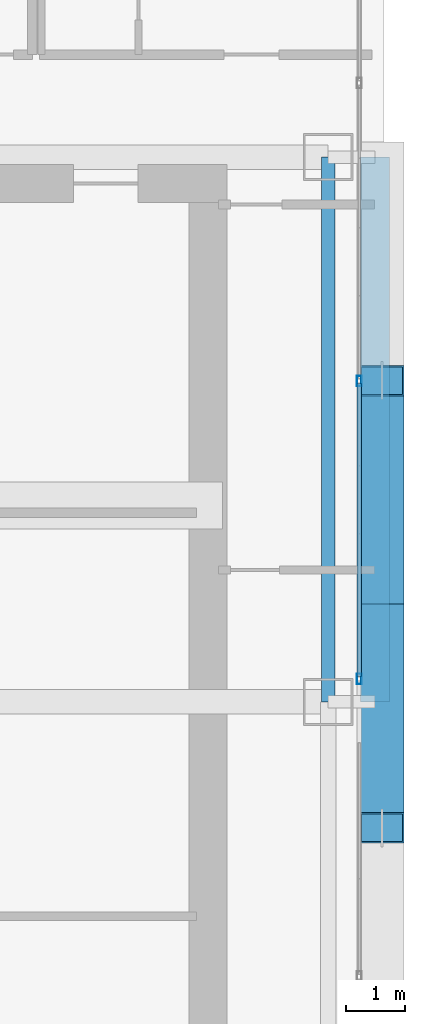
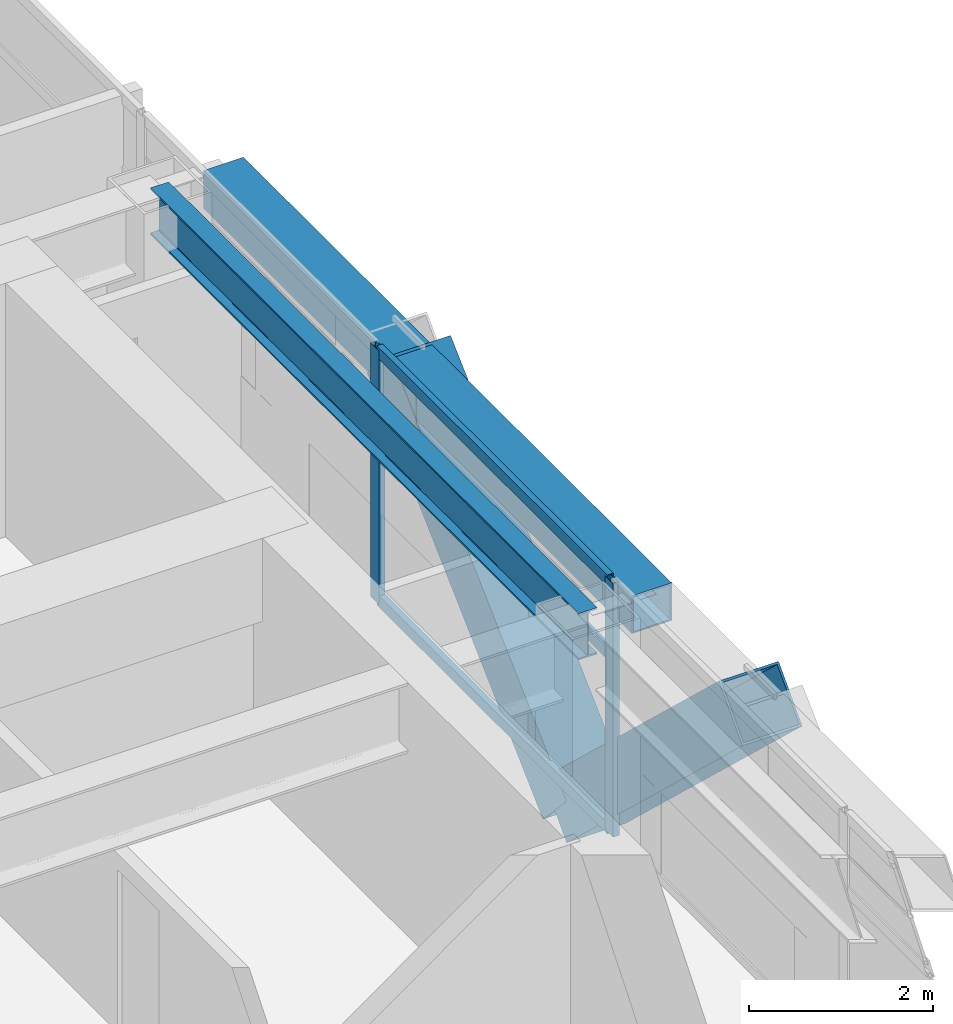
# One storey, part 18 of 39: 7 members, 2 beams, 1 element without a shape of its own.
"""IFC4 building model written with IfcOpenShell, lengths in metres."""

import ifcopenshell
import ifcopenshell.guid

model = None  # the IFC model being written
_history = None  # IfcOwnerHistory: only IFC2X3 demands one
_inside = {}  # id of a spatial element -> (the spatial element, [elements in it])
_under = {}  # id of a project, library or spatial element -> (it, [spatial elements below it])
_declared = {}  # id of a project -> (the project, [libraries it declares])
_typed = {}  # id of a type object -> (the type object, [elements of that type])
_made_of = {}  # id of a material, layer set ... -> (it, [elements and type objects made of it])


def new_model(schema):
    """Start an empty IFC model of exactly this schema.

    Asked for "IFC4X3", IfcOpenShell would pick the latest addendum, in which some entities
    have other attributes; the version numbers below select the first issue.
    IFC2X3 requires an IfcOwnerHistory on every rooted entity: one is made here for all.
    """
    global model, _history
    if schema == "IFC4X3":
        model = ifcopenshell.file(schema_version=(4, 3, 0, 0))
    else:
        model = ifcopenshell.file(schema=schema)
    _inside.clear()
    _under.clear()
    _declared.clear()
    _typed.clear()
    _made_of.clear()
    _history = None
    if model.schema == "IFC2X3":
        org = make("IfcOrganization", Name="unknown")
        user = make(
            "IfcPersonAndOrganization",
            ThePerson=make("IfcPerson", FamilyName="unknown"),
            TheOrganization=org,
        )
        app = make(
            "IfcApplication",
            ApplicationDeveloper=org,
            Version="unknown",
            ApplicationFullName="unknown",
            ApplicationIdentifier="unknown",
        )
        _history = make(
            "IfcOwnerHistory",
            OwningUser=user,
            OwningApplication=app,
            ChangeAction="ADDED",
            CreationDate=0,
        )
    return model


def make(cls, **values):
    """One entity of the class cls with the attributes given. An attribute that is None is left unset."""
    return model.create_entity(
        cls, **{name: value for name, value in values.items() if value is not None}
    )


def rooted(cls, **values):
    """An entity with a GlobalId (a new one), such as an element, a storey or a relation."""
    return make(cls, GlobalId=ifcopenshell.guid.new(), OwnerHistory=_history, **values)


def si_unit(unit_type, name, prefix=None):
    """IfcSIUnit, for example si_unit("LENGTHUNIT", "METRE", prefix="MILLI")."""
    return make("IfcSIUnit", UnitType=unit_type, Prefix=prefix, Name=name)


def assignment(units):
    """IfcUnitAssignment: the units of a project."""
    return None if units is None else make("IfcUnitAssignment", Units=units)


def point(xyz):
    """IfcCartesianPoint."""
    return None if xyz is None else make("IfcCartesianPoint", Coordinates=xyz)


def direction(xyz):
    """IfcDirection."""
    return None if xyz is None else make("IfcDirection", DirectionRatios=xyz)


def frame(location, z_axis=None, x_axis=None):
    """IfcAxis2Placement3D, a coordinate frame: its origin and axes. An axis left out is left unset."""
    return make(
        "IfcAxis2Placement3D",
        Location=point(location),
        Axis=direction(z_axis),
        RefDirection=direction(x_axis),
    )


def frame_2d(location, x_axis=None):
    """IfcAxis2Placement2D, a coordinate frame in the plane: its origin and x axis."""
    return make(
        "IfcAxis2Placement2D", Location=point(location), RefDirection=direction(x_axis)
    )


def origin():
    """The frame at (0, 0, 0) with its axes left unset."""
    return frame((0.0, 0.0, 0.0))


def origin_2d():
    """The frame at (0, 0) in the plane with its x axis left unset."""
    return frame_2d((0.0, 0.0))


def place(relative_to, where):
    """IfcLocalPlacement: puts the frame where relative to a parent placement (None: the world)."""
    return make(
        "IfcLocalPlacement", PlacementRelTo=relative_to, RelativePlacement=where
    )


def context(
    kind, dimensions, precision=None, world=None, true_north=None, identifier=None
):
    """IfcGeometricRepresentationContext, for example the 3D "Model" context."""
    return make(
        "IfcGeometricRepresentationContext",
        ContextIdentifier=identifier,
        ContextType=kind,
        CoordinateSpaceDimension=dimensions,
        Precision=precision,
        WorldCoordinateSystem=world,
        TrueNorth=true_north,
    )


def subcontext(parent, identifier, kind, view, scale=None):
    """IfcGeometricRepresentationSubContext, for example "Body" below "Model"."""
    return make(
        "IfcGeometricRepresentationSubContext",
        ContextIdentifier=identifier,
        ContextType=kind,
        ParentContext=parent,
        TargetScale=scale,
        TargetView=view,
    )


def project(units=None, contexts=None):
    """IfcProject with its units and contexts."""
    return rooted(
        "IfcProject",
        Name="project",
        RepresentationContexts=contexts,
        UnitsInContext=assignment(units),
    )


def spatial(cls, under=None, at=None, **own):
    """A site, building, storey or space (cls), placed at a placement, below another one or the project."""
    s = rooted(cls, ObjectPlacement=at, **own)
    if under is not None:
        _under.setdefault(under.id(), (under, []))[1].append(s)
    return s


def profile(cls, at=None, kind="AREA", **sizes):
    """A parametric profile (cls). Its sizes go by their IFC names, for example OverallWidth=200.0."""
    return make(cls, ProfileType=kind, Position=at, **sizes)


def hollow_rectangle(**sizes):
    """IfcRectangleHollowProfileDef."""
    return profile("IfcRectangleHollowProfileDef", **sizes)


def i_section(**sizes):
    """IfcIShapeProfileDef."""
    return profile("IfcIShapeProfileDef", **sizes)


def extrude(swept, where, along, depth):
    """IfcExtrudedAreaSolid: the profile swept, set in the frame where, extruded along a direction by depth."""
    return make(
        "IfcExtrudedAreaSolid",
        SweptArea=swept,
        Position=where,
        ExtrudedDirection=direction(along),
        Depth=depth,
    )


def shape(context_of_items, identifier, shape_type, items):
    """IfcShapeRepresentation: the items that make up one representation, for example the "Body"."""
    return make(
        "IfcShapeRepresentation",
        ContextOfItems=context_of_items,
        RepresentationIdentifier=identifier,
        RepresentationType=shape_type,
        Items=items,
    )


def source(mapping_origin, context_of_items, identifier, shape_type, items):
    """IfcRepresentationMap: a shape defined once, which mapped items show again and again."""
    return make(
        "IfcRepresentationMap",
        MappingOrigin=mapping_origin,
        MappedRepresentation=shape(context_of_items, identifier, shape_type, items),
    )


def transform(
    local_origin,
    x_axis=None,
    y_axis=None,
    z_axis=None,
    scale=None,
    scale2=None,
    scale3=None,
    uniform=True,
):
    """IfcCartesianTransformationOperator3D, or its non-uniform kind. x_axis, y_axis, z_axis: its Axis1, 2, 3."""
    if uniform:
        return make(
            "IfcCartesianTransformationOperator3D",
            Axis1=direction(x_axis),
            Axis2=direction(y_axis),
            LocalOrigin=point(local_origin),
            Scale=scale,
            Axis3=direction(z_axis),
        )
    return make(
        "IfcCartesianTransformationOperator3DnonUniform",
        Axis1=direction(x_axis),
        Axis2=direction(y_axis),
        LocalOrigin=point(local_origin),
        Scale=scale,
        Axis3=direction(z_axis),
        Scale2=scale2,
        Scale3=scale3,
    )


def mapped(mapping_source, mapping_target):
    """IfcMappedItem: shows the shape of a source again, moved by a transform."""
    return make(
        "IfcMappedItem", MappingSource=mapping_source, MappingTarget=mapping_target
    )


def material(Name=None, Category=None):
    """IfcMaterial."""
    return make("IfcMaterial", Name=Name, Category=Category)


def layer(
    of_material, thickness, ventilated=None, Name=None, Category=None, Priority=None
):
    """IfcMaterialLayer: one layer of a wall or slab, of a material (None: an air gap)."""
    return make(
        "IfcMaterialLayer",
        Material=of_material,
        LayerThickness=thickness,
        IsVentilated=ventilated,
        Name=Name,
        Category=Category,
        Priority=Priority,
    )


def layer_set(layers, Name=None):
    """IfcMaterialLayerSet."""
    return make("IfcMaterialLayerSet", MaterialLayers=layers, LayerSetName=Name)


def material_profile(
    of_material, cross_section, Name=None, Category=None, Priority=None
):
    """IfcMaterialProfile: a cross section and its material."""
    return make(
        "IfcMaterialProfile",
        Name=Name,
        Material=of_material,
        Profile=cross_section,
        Priority=Priority,
        Category=Category,
    )


def profile_set(profiles, Name=None, composite=None):
    """IfcMaterialProfileSet."""
    return make(
        "IfcMaterialProfileSet",
        Name=Name,
        MaterialProfiles=profiles,
        CompositeProfile=composite,
    )


def made_of(thing, what):
    """Note that an element or type object is made of a material, layer set ...; save() writes the relation."""
    if what is not None:
        _made_of.setdefault(what.id(), (what, []))[1].append(thing)
    return thing


def type_object(cls, material=None, **own):
    """A type object (cls), such as IfcWallType, which elements share."""
    return made_of(rooted(cls, **own), material)


def element(
    cls,
    number,
    at=None,
    inside=None,
    cuts=None,
    type_object=None,
    material=None,
    context=None,
    identifier="Body",
    shape_type=None,
    held_by="IfcProductDefinitionShape",
    body=None,
    shapes=None,
    **own,
):
    """One element of the class cls, such as IfcWall. Its Tag is "e" and its number.

    at: its placement. inside: the storey or other place that contains it. cuts: it is an
    opening in that element (IfcRelVoidsElement). A single representation is given by context,
    identifier, shape_type and body (its items); several are given by shapes. held_by: the class
    of the entity that holds the representations. save() writes the other relations.
    """
    e = rooted(cls, Tag="e%d" % number, ObjectPlacement=at, **own)
    if body is not None:
        shapes = [shape(context, identifier, shape_type, body)]
    if shapes is not None:
        e.Representation = make(held_by, Representations=shapes)
    if inside is not None:
        _inside.setdefault(inside.id(), (inside, []))[1].append(e)
    if cuts is not None:
        rooted(
            "IfcRelVoidsElement", RelatingBuildingElement=cuts, RelatedOpeningElement=e
        )
    if type_object is not None:
        _typed.setdefault(type_object.id(), (type_object, []))[1].append(e)
    return made_of(e, material)


def aggregate(whole, parts):
    """IfcRelAggregates: a whole, such as a stair, and the parts it consists of."""
    return rooted("IfcRelAggregates", RelatingObject=whole, RelatedObjects=parts)


def save(model, path):
    """Write the relations noted so far, then the file.

    IfcRelAggregates (storeys below a building ...), IfcRelContainedInSpatialStructure (elements
    in a storey), IfcRelDefinesByType, IfcRelAssociatesMaterial and IfcRelDeclares: one each for
    every whole, place, type object, material and project.
    """
    for whole, parts in _under.values():
        aggregate(whole, parts)
    for where, things in _inside.values():
        rooted(
            "IfcRelContainedInSpatialStructure",
            RelatedElements=things,
            RelatingStructure=where,
        )
    for kind, things in _typed.values():
        rooted("IfcRelDefinesByType", RelatedObjects=things, RelatingType=kind)
    for what, things in _made_of.values():
        rooted("IfcRelAssociatesMaterial", RelatedObjects=things, RelatingMaterial=what)
    for by, libraries in _declared.values():
        rooted("IfcRelDeclares", RelatingContext=by, RelatedDefinitions=libraries)
    model.write(path)


model = new_model("IFC4")

# Units and contexts
model_context = context("Model", 3, precision=1e-05, world=origin(), true_north=direction((0.0, 1.0)))
body_context = subcontext(model_context, "Body", "Model", "MODEL_VIEW")
ifc_project = project(units=[si_unit("LENGTHUNIT", "METRE"), si_unit("AREAUNIT", "SQUARE_METRE"), si_unit("VOLUMEUNIT", "CUBIC_METRE"), si_unit("PLANEANGLEUNIT", "RADIAN"), si_unit("MASSUNIT", "GRAM", prefix="KILO")], contexts=[model_context])

# Site, building, storey
site_placement = place(None, origin())
site = spatial("IfcSite", under=ifc_project, at=site_placement, CompositionType="ELEMENT")
building_placement = place(site_placement, origin())
building = spatial("IfcBuilding", under=site, at=building_placement, Name="Ocotamira Hotel", CompositionType="ELEMENT")
storey_placement = place(building_placement, frame((0.0, 0.0, 126.0)))
storey = spatial("IfcBuildingStorey", under=building, at=storey_placement, Name="L31", CompositionType="ELEMENT", Elevation=126.0)

# Beams
ifc_material_1 = material(Name="Steel ASTM A992 Grade 50", Category="steel")
ifc_material_profile_1 = material_profile(ifc_material_1, i_section(OverallWidth=0.22998046875, OverallDepth=0.616943359375, WebThickness=0.01318359375, FlangeThickness=0.022216796875, FilletRadius=0.012939453125, at=origin_2d()), Name="W24X94")
ifc_profile_set_1 = profile_set([ifc_material_profile_1], Name="Steel ASTM A992 Grade 50")
beam_type_1 = type_object("IfcBeamType", Name="BM-PRIM-W24X94", PredefinedType="BEAM", material=ifc_profile_set_1)
shared_shape_1 = source(origin(), body_context, "Body", "SweptSolid", [
    extrude(i_section(OverallWidth=0.22998046875, OverallDepth=0.616943359375, WebThickness=0.01318359375, FlangeThickness=0.022216796875, FilletRadius=0.012939453125, at=origin_2d()), origin(), (0.0, 0.0, 1.0), 9.300048828125),
])
beam_1_placement = place(storey_placement, frame((55.050048828125, 28.14990234375, 3.051513671875), z_axis=(0.0, 1.0, 0.0), x_axis=(-1.0, 0.0, 0.0)))
element("IfcBeam", 1, at=beam_1_placement, inside=storey, type_object=beam_type_1, Name="L31 Beam X55.05 Y28.15-37.45", PredefinedType="BEAM", context=body_context, shape_type="MappedRepresentation", body=[
    mapped(shared_shape_1, transform((0.0, 0.0, 0.0), scale=1.0)),
])
ifc_material_2 = material(Name="Steel ASTM A500 Grade C", Category="steel")
ifc_material_profile_2 = material_profile(ifc_material_2, hollow_rectangle(XDim=0.5, YDim=0.5, WallThickness=0.02001953125, at=origin_2d()), Name="HSS500X500X20")
ifc_profile_set_2 = profile_set([ifc_material_profile_2], Name="Steel ASTM A500 Grade C")
beam_type_2 = type_object("IfcBeamType", Name="BM-SPAN-HSS500", PredefinedType="USERDEFINED", material=ifc_profile_set_2)
shared_shape_2 = source(origin(), body_context, "Body", "SweptSolid", [
    extrude(hollow_rectangle(XDim=0.5, YDim=0.5, WallThickness=0.02001953125, at=origin_2d()), origin(), (0.0, 0.0, 1.0), 9.300048828125),
])
beam_2_placement = place(storey_placement, frame((55.85009765625, 28.14990234375, 3.110107421875), z_axis=(0.0, 1.0, 0.0), x_axis=(-1.0, 0.0, 0.0)))
element("IfcBeam", 2, at=beam_2_placement, inside=storey, type_object=beam_type_2, Name="L31 Edge Spandrel E Y28.15-37.45", ObjectType="SPANDREL", PredefinedType="USERDEFINED", context=body_context, shape_type="MappedRepresentation", body=[
    mapped(shared_shape_2, transform((0.0, 0.0, 0.0), scale=1.0)),
])

# Members
ifc_material_3 = material(Name="Pale-metal coated steel ASTM A913 Grade 65", Category="steel")
ifc_material_profile_3 = material_profile(ifc_material_3, hollow_rectangle(XDim=0.75, YDim=0.75, WallThickness=0.028076171875, at=origin_2d()), Name="BOX750X750X28")
ifc_profile_set_3 = profile_set([ifc_material_profile_3], Name="Pale-metal coated steel ASTM A913 Grade 65")
member_type_1 = type_object("IfcMemberType", Name="MEM-EXO-BOX750", PredefinedType="BRACE", material=ifc_profile_set_3)
shared_shape_3 = source(origin(), body_context, "Body", "SweptSolid", [
    extrude(hollow_rectangle(XDim=0.75, YDim=0.75, WallThickness=0.028076171875, at=origin_2d()), origin(), (0.0, 0.0, 1.0), 5.24658203125),
])
for number, where, z_axis, x_axis, name in (
    (3, (55.969970703125, 29.816650390625, -0.489990234375), (0.0, -0.727442733726, 0.686168397078), (1.0, 0.0, 0.0), "L31 Exoskeleton Diagrid E1.2"),
    (4, (55.969970703125, 29.816650390625, -0.489990234375), (0.0, 0.727442733726, 0.686168397078), (-1.0, 0.0, 0.0), "L31 Exoskeleton Diagrid E2.1"),
):
    element("IfcMember", number, at=place(storey_placement, frame(where, z_axis=z_axis, x_axis=x_axis)), inside=storey, type_object=member_type_1, Name=name, PredefinedType="BRACE", context=body_context, shape_type="MappedRepresentation", body=[
        mapped(shared_shape_3, transform((0.0, 0.0, 0.0), scale=1.0)),
    ])

# Curtain wall, members
ifc_material_4 = material(Name="Anodised pale-metal aluminium and solar glass", Category="aluminium")
ifc_layer = layer(ifc_material_4, 0.179931640625)
ifc_layer_set = layer_set([ifc_layer], Name="Anodised pale-metal aluminium and solar glass")
curtain_wall_type = type_object("IfcCurtainWallType", Name="CW-SYS3-Z2", PredefinedType="NOTDEFINED", material=ifc_layer_set)
curtain_wall_placement = place(storey_placement, origin())
curtain_wall = element("IfcCurtainWall", 5, at=curtain_wall_placement, inside=storey, type_object=curtain_wall_type, Name="L31 Curtain Wall CW-3 CW-L31-E", PredefinedType="NOTDEFINED")
ifc_material_5 = material(Name="Anodised pale-metal aluminium 6063-T6", Category="aluminium")
ifc_material_profile_4 = material_profile(ifc_material_5, hollow_rectangle(XDim=0.074951171875, YDim=0.14990234375, WallThickness=0.006103515625, at=origin_2d()), Name="HSS150X75X6")
ifc_profile_set_4 = profile_set([ifc_material_profile_4], Name="Anodised pale-metal aluminium 6063-T6")
member_type_2 = type_object("IfcMemberType", Name="CWT-150X75", PredefinedType="USERDEFINED", material=ifc_profile_set_4)
shared_shape_4 = source(origin(), body_context, "Body", "SweptSolid", [
    extrude(hollow_rectangle(XDim=0.074951171875, YDim=0.14990234375, WallThickness=0.006103515625, at=origin_2d()), origin(), (0.0, 0.0, 1.0), 5.005859375),
])
member_1_placement = place(storey_placement, frame((55.580078125, 28.582763671875, 0.03759765625), z_axis=(0.0, 1.0, 0.0), x_axis=(-1.0, 0.0, 0.0)))
member_1 = element("IfcMember", 6, at=member_1_placement, type_object=member_type_2, Name="CW-3 transom 5.1", ObjectType="TRANSOM", PredefinedType="USERDEFINED", context=body_context, shape_type="MappedRepresentation", body=[
    mapped(shared_shape_4, transform((0.0, 0.0, 0.0), scale=1.0)),
])
member_2_placement = place(storey_placement, frame((55.580078125, 28.582763671875, 2.35009765625), z_axis=(0.0, 1.0, 0.0), x_axis=(-1.0, 0.0, 0.0)))
member_2 = element("IfcMember", 7, at=member_2_placement, type_object=member_type_2, Name="CW-3 transom 5.2", ObjectType="TRANSOM", PredefinedType="USERDEFINED", context=body_context, shape_type="MappedRepresentation", body=[
    mapped(shared_shape_4, transform((0.0, 0.0, 0.0), scale=1.0)),
])
member_3_placement = place(storey_placement, frame((55.580078125, 28.582763671875, 3.322509765625), z_axis=(0.0, 1.0, 0.0), x_axis=(-1.0, 0.0, 0.0)))
member_3 = element("IfcMember", 8, at=member_3_placement, type_object=member_type_2, Name="CW-3 transom 5.3", ObjectType="TRANSOM", PredefinedType="USERDEFINED", context=body_context, shape_type="MappedRepresentation", body=[
    mapped(shared_shape_4, transform((0.0, 0.0, 0.0), scale=1.0)),
])
ifc_material_profile_5 = material_profile(ifc_material_5, hollow_rectangle(XDim=0.080078125, YDim=0.179931640625, WallThickness=0.006103515625, at=origin_2d()), Name="HSS180X80X6")
ifc_profile_set_5 = profile_set([ifc_material_profile_5], Name="Anodised pale-metal aluminium 6063-T6")
member_type_3 = type_object("IfcMemberType", Name="CWM-180X75", PredefinedType="MULLION", material=ifc_profile_set_5)
shared_shape_5 = source(origin(), body_context, "Body", "SweptSolid", [
    extrude(hollow_rectangle(XDim=0.080078125, YDim=0.179931640625, WallThickness=0.006103515625, at=origin_2d()), origin(), (0.0, 0.0, 1.0), 3.360107421875),
])
member_4_placement = place(storey_placement, frame((55.580078125, 28.54296875, 0.0), z_axis=(0.0, 0.0, 1.0), x_axis=(-1.0, 0.0, 0.0)))
member_4 = element("IfcMember", 9, at=member_4_placement, type_object=member_type_3, Name="CW-3 mullion 5", PredefinedType="MULLION", context=body_context, shape_type="MappedRepresentation", body=[
    mapped(shared_shape_5, transform((0.0, 0.0, 0.0), scale=1.0)),
])
member_5_placement = place(storey_placement, frame((55.580078125, 33.628662109375, 0.0), z_axis=(0.0, 0.0, 1.0), x_axis=(-1.0, 0.0, 0.0)))
member_5 = element("IfcMember", 10, at=member_5_placement, type_object=member_type_3, Name="CW-3 mullion 6", PredefinedType="MULLION", context=body_context, shape_type="MappedRepresentation", body=[
    mapped(shared_shape_5, transform((0.0, 0.0, 0.0), scale=1.0)),
])
aggregate(curtain_wall, [member_4, member_5, member_1, member_2, member_3])

save(model, "model.ifc")
